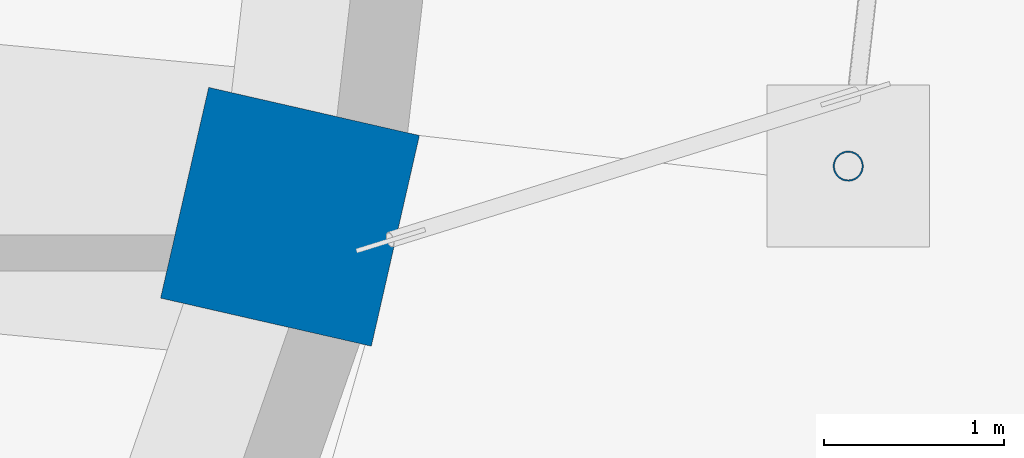
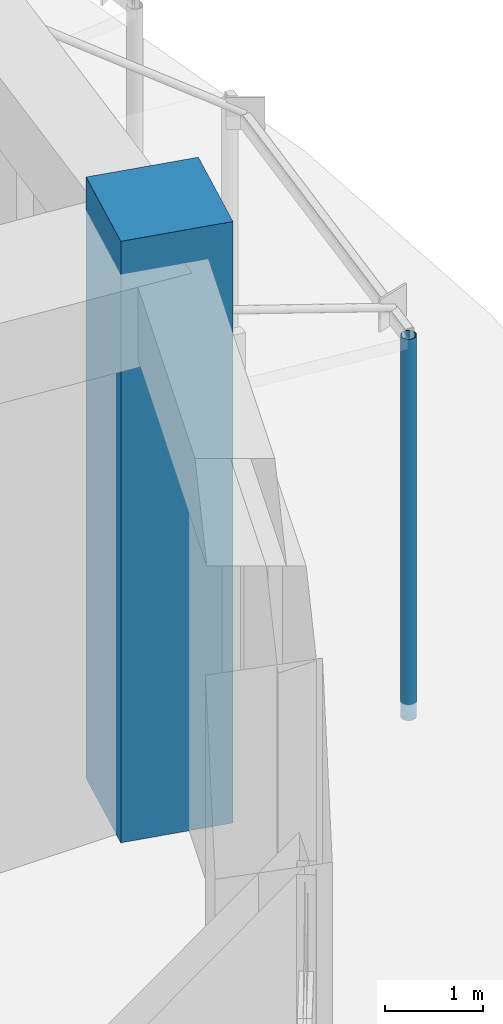
# One storey, part 13 of 60: 2 columns.
"""IFC4 building model written with IfcOpenShell, lengths in metres."""

from ifc_helpers import new_model, si_unit, direction, frame, origin, origin_2d, place, context, subcontext, project, spatial, rectangle, hollow_circle, extrude, material, material_profile, profile_set, type_object, element, save


model = new_model("IFC4")

# Units and contexts
model_context = context("Model", 3, precision=1e-05, world=origin(), true_north=direction((0.0, 1.0)))
body_context = subcontext(model_context, "Body", "Model", "MODEL_VIEW")
ifc_project = project(units=[si_unit("LENGTHUNIT", "METRE"), si_unit("AREAUNIT", "SQUARE_METRE"), si_unit("VOLUMEUNIT", "CUBIC_METRE"), si_unit("PLANEANGLEUNIT", "RADIAN"), si_unit("MASSUNIT", "GRAM", prefix="KILO")], contexts=[model_context])

# Site, building, storey
site_placement = place(None, origin())
site = spatial("IfcSite", under=ifc_project, at=site_placement, CompositionType="ELEMENT")
building_placement = place(site_placement, origin())
building = spatial("IfcBuilding", under=site, at=building_placement, Name="Taillehof Tower", CompositionType="ELEMENT")
storey_placement = place(building_placement, origin())
storey = spatial("IfcBuildingStorey", under=building, at=storey_placement, Name="L00", CompositionType="ELEMENT", Elevation=0.0)

# Columns
ifc_material_1 = material(Name="Steel S460M", Category="steel")
ifc_material_profile_1 = material_profile(ifc_material_1, hollow_circle(Radius=0.084228515625, WallThickness=0.008056640625, at=origin_2d()), Name="CHS 168.3x8")
ifc_profile_set_1 = profile_set([ifc_material_profile_1], Name="Steel S460M")
column_type_1 = type_object("IfcColumnType", Name="Canopy post CHS 168.3x8", PredefinedType="COLUMN", material=ifc_profile_set_1)
column_1_placement = place(storey_placement, frame((45.839599609375, -5.5185546875, -0.199951171875), z_axis=(0.0, 0.0, 1.0), x_axis=(1.0, 0.0, 0.0)))
element("IfcColumn", 1, at=column_1_placement, inside=storey, type_object=column_type_1, Name="Canopy post E19", PredefinedType="COLUMN", context=body_context, shape_type="SweptSolid", body=[
    extrude(hollow_circle(Radius=0.084228515625, WallThickness=0.008056640625, at=origin_2d()), origin(), (0.0, 0.0, 1.0), 4.7548828125),
])
ifc_material_2 = material(Name="Concrete C60/75", Category="concrete")
ifc_material_profile_2 = material_profile(ifc_material_2, rectangle(XDim=1.199951171875, YDim=1.199951171875, at=origin_2d()), Name="RC 1200x1200")
ifc_profile_set_2 = profile_set([ifc_material_profile_2], Name="Concrete C60/75")
column_type_2 = type_object("IfcColumnType", Name="Podium column C60/75 1200x1200", PredefinedType="COLUMN", material=ifc_profile_set_2)
column_2_placement = place(storey_placement, frame((42.74072265625, -5.7998046875, 0.0), z_axis=(0.0, 0.0, 1.0), x_axis=(0.974939689593, -0.222469327451, 0.0)))
element("IfcColumn", 2, at=column_2_placement, inside=storey, type_object=column_type_2, Name="Podium column PC36", PredefinedType="COLUMN", context=body_context, shape_type="SweptSolid", body=[
    extrude(rectangle(XDim=1.199951171875, YDim=1.199951171875, at=origin_2d()), origin(), (0.0, 0.0, 1.0), 7.5),
])

save(model, "model.ifc")
